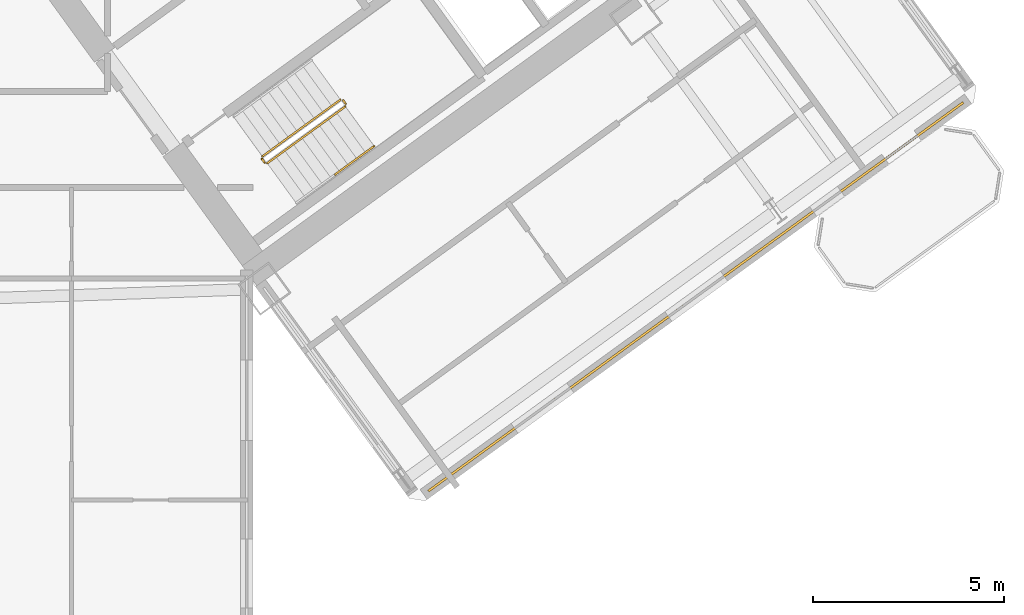
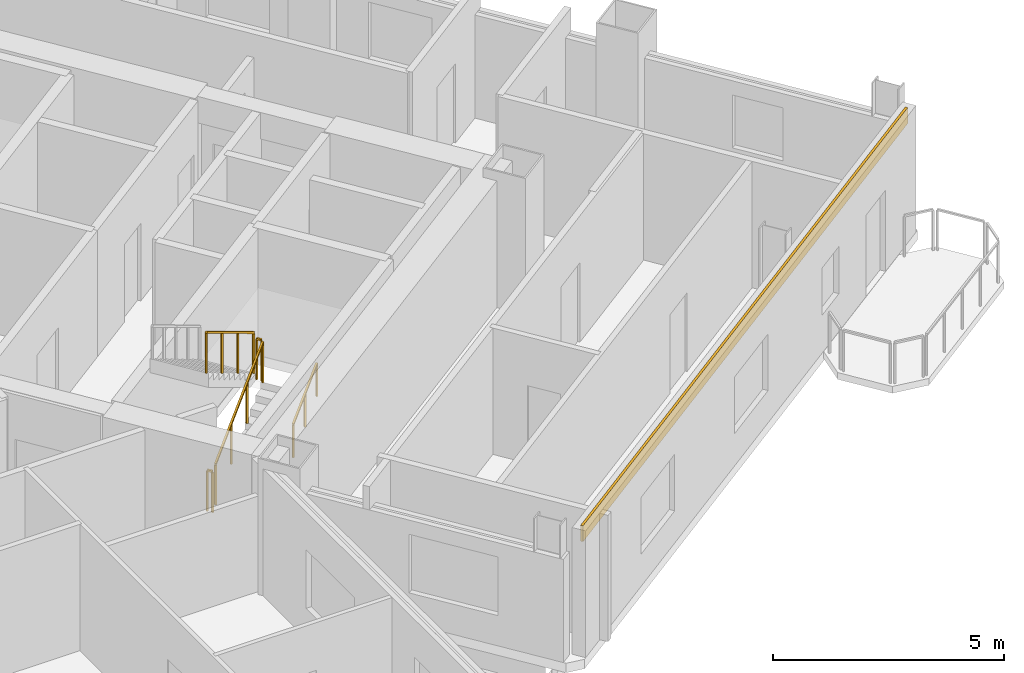
# One storey, part 26 of 28: 5 railings, 1 covering.
"""IFC4 building model written with IfcOpenShell, lengths in metres."""

from ifc_helpers import new_model, si_unit, direction, frame, origin, origin_2d, place, context, subcontext, project, spatial, rectangle, extrude, source, transform, mapped, material, layer, layer_set, type_object, element, save


model = new_model("IFC4")

# Units and contexts
model_context = context("Model", 3, precision=1e-05, world=origin(), true_north=direction((0.0, 1.0)))
body_context = subcontext(model_context, "Body", "Model", "MODEL_VIEW")
ifc_project = project(units=[si_unit("LENGTHUNIT", "METRE"), si_unit("AREAUNIT", "SQUARE_METRE"), si_unit("VOLUMEUNIT", "CUBIC_METRE"), si_unit("PLANEANGLEUNIT", "RADIAN"), si_unit("MASSUNIT", "GRAM", prefix="KILO")], contexts=[model_context])

# Site, building, storey
site_placement = place(None, origin())
site = spatial("IfcSite", under=ifc_project, at=site_placement, CompositionType="ELEMENT")
building_placement = place(site_placement, origin())
building = spatial("IfcBuilding", under=site, at=building_placement, Name="Tlacorven Tower", CompositionType="ELEMENT")
storey_placement = place(building_placement, frame((0.0, 0.0, 49.199951171875)))
storey = spatial("IfcBuildingStorey", under=building, at=storey_placement, Name="L12", CompositionType="ELEMENT", Elevation=49.199951171875)

# Covering
ifc_material_1 = material(Name="Precast concrete C45/55", Category="concrete")
ifc_layer = layer(ifc_material_1, 0.06005859375)
ifc_layer_set = layer_set([ifc_layer], Name="Precast concrete C45/55")
covering_type = type_object("IfcCoveringType", Name="CV-CLD-TERC", PredefinedType="CLADDING", material=ifc_layer_set)
shared_shape_1 = source(origin(), body_context, "Body", "SweptSolid", [
    extrude(rectangle(XDim=17.287353515625, YDim=0.06005859375, at=origin_2d()), origin(), (0.0, 0.0, 1.0), 0.419921875),
])
covering_placement = place(storey_placement, frame((63.9833984375, 12.562255859375, 2.93017578125), z_axis=(0.0, 0.0, 1.0), x_axis=(-0.809017097486, -0.587785110372, 0.0)))
element("IfcCovering", 1, at=covering_placement, inside=storey, type_object=covering_type, Name="L12 Masonry-Frame Spandrel Cladding 6", PredefinedType="CLADDING", context=body_context, shape_type="MappedRepresentation", body=[
    mapped(shared_shape_1, transform((0.0, 0.0, 0.0), scale=1.0)),
])

# Railings
ifc_material_2 = material(Name="Aluminium and painted steel balustrade", Category="steel")
railing_type_1 = type_object("IfcRailingType", Name="RL-GRD-1100", PredefinedType="GUARDRAIL", material=ifc_material_2)
shared_shape_2 = source(origin(), body_context, "Body", "SweptSolid", [
    extrude(rectangle(XDim=0.048095703125, YDim=0.048095703125, at=origin_2d()), frame((0.0, 0.0, 1.076171875), z_axis=(-0.587567097037, 0.809175448515, 0.0), x_axis=(-0.809175448515, -0.587567097037, 0.0)), (0.0, 0.0, 1.0), 0.1201171875),
    extrude(rectangle(XDim=0.0419921875, YDim=0.0419921875, at=origin_2d()), origin(), (0.0, 0.0, 1.0), 1.052001953125),
    extrude(rectangle(XDim=0.0419921875, YDim=0.0419921875, at=origin_2d()), frame((-0.070556640625, 0.09716796875, 0.0)), (0.0, 0.0, 1.0), 1.052001953125),
])
for number, where, name in (
    (2, (54.8310546875, 17.605712890625, 1.800048828125), "L12 ST-E2 stair guard 2"),
    (3, (52.71142578125, 16.065673828125, 0.0), "L12 ST-E2 stair guard 4"),
):
    element("IfcRailing", number, at=place(storey_placement, frame(where)), inside=storey, type_object=railing_type_1, Name=name, PredefinedType="GUARDRAIL", context=body_context, shape_type="MappedRepresentation", body=[
        mapped(shared_shape_2, transform((0.0, 0.0, 0.0), scale=1.0)),
    ])
railing_type_2 = type_object("IfcRailingType", Name="RL-HND-0900", PredefinedType="HANDRAIL", material=ifc_material_2)
shared_shape_3 = source(origin(), body_context, "Body", "SweptSolid", [
    extrude(rectangle(XDim=0.048095703125, YDim=0.048095703125, at=origin_2d()), frame((0.0, 0.0, 0.8759765625), z_axis=(0.680516055757, 0.494372502302, 0.540826891737), x_axis=(-0.587745292299, 0.809046025502, 0.0)), (0.0, 0.0, 1.0), 1.497802734375),
    extrude(rectangle(XDim=0.0419921875, YDim=0.0419921875, at=origin_2d()), origin(), (0.0, 0.0, 1.0), 0.851806640625),
    extrude(rectangle(XDim=0.0419921875, YDim=0.0419921875, at=origin_2d()), frame((0.509765625, 0.3701171875, 0.405029296875)), (0.0, 0.0, 1.0), 0.851806640625),
    extrude(rectangle(XDim=0.0419921875, YDim=0.0419921875, at=origin_2d()), frame((1.019287109375, 0.740478515625, 0.81005859375)), (0.0, 0.0, 1.0), 0.851806640625),
])
railing_1_placement = place(storey_placement, frame((54.552978515625, 15.759765625, 0.989990234375)))
element("IfcRailing", 4, at=railing_1_placement, inside=storey, type_object=railing_type_2, Name="L12 ST-E2 stair handrail 2", PredefinedType="HANDRAIL", context=body_context, shape_type="MappedRepresentation", body=[
    mapped(shared_shape_3, transform((0.0, 0.0, 0.0), scale=1.0)),
])
shared_shape_4 = source(origin(), body_context, "Body", "SweptSolid", [
    extrude(rectangle(XDim=0.048095703125, YDim=0.048095703125, at=origin_2d()), frame((0.0, 0.0, 1.076171875), z_axis=(0.680532390839, 0.494406659708, 0.54077511024), x_axis=(-0.587762637553, 0.809033424462, 0.0)), (0.0, 0.0, 1.0), 2.995849609375),
    extrude(rectangle(XDim=0.0419921875, YDim=0.0419921875, at=origin_2d()), origin(), (0.0, 0.0, 1.0), 1.052001953125),
    extrude(rectangle(XDim=0.0419921875, YDim=0.0419921875, at=origin_2d()), frame((0.6796875, 0.49365234375, 0.5400390625)), (0.0, 0.0, 1.0), 1.052001953125),
    extrude(rectangle(XDim=0.0419921875, YDim=0.0419921875, at=origin_2d()), frame((1.359130859375, 0.987548828125, 1.080078125)), (0.0, 0.0, 1.0), 1.052001953125),
    extrude(rectangle(XDim=0.0419921875, YDim=0.0419921875, at=origin_2d()), frame((2.038818359375, 1.481201171875, 1.6201171875)), (0.0, 0.0, 1.0), 1.052001953125),
])
railing_2_placement = place(storey_placement, frame((52.78125, 16.0546875, 0.179931640625)))
element("IfcRailing", 5, at=railing_2_placement, inside=storey, type_object=railing_type_1, Name="L12 ST-E2 stair guard 1", PredefinedType="GUARDRAIL", context=body_context, shape_type="MappedRepresentation", body=[
    mapped(shared_shape_4, transform((0.0, 0.0, 0.0), scale=1.0)),
])
shared_shape_5 = source(origin(), body_context, "Body", "SweptSolid", [
    extrude(rectangle(XDim=0.048095703125, YDim=0.048095703125, at=origin_2d()), frame((0.0, 0.0, 1.076171875), z_axis=(-0.680532390839, -0.494406659708, 0.54077511024), x_axis=(0.587762637553, -0.809033424462, 0.0)), (0.0, 0.0, 1.0), 2.995849609375),
    extrude(rectangle(XDim=0.0419921875, YDim=0.0419921875, at=origin_2d()), origin(), (0.0, 0.0, 1.0), 1.052001953125),
    extrude(rectangle(XDim=0.0419921875, YDim=0.0419921875, at=origin_2d()), frame((-0.6796875, -0.49365234375, 0.5400390625)), (0.0, 0.0, 1.0), 1.052001953125),
    extrude(rectangle(XDim=0.0419921875, YDim=0.0419921875, at=origin_2d()), frame((-1.359130859375, -0.987548828125, 1.080078125)), (0.0, 0.0, 1.0), 1.052001953125),
    extrude(rectangle(XDim=0.0419921875, YDim=0.0419921875, at=origin_2d()), frame((-2.038818359375, -1.481201171875, 1.6201171875)), (0.0, 0.0, 1.0), 1.052001953125),
])
railing_3_placement = place(storey_placement, frame((54.690673828125, 17.7138671875, 1.97998046875)))
element("IfcRailing", 6, at=railing_3_placement, inside=storey, type_object=railing_type_1, Name="L12 ST-E2 stair guard 3", PredefinedType="GUARDRAIL", context=body_context, shape_type="MappedRepresentation", body=[
    mapped(shared_shape_5, transform((0.0, 0.0, 0.0), scale=1.0)),
])

save(model, "model.ifc")
